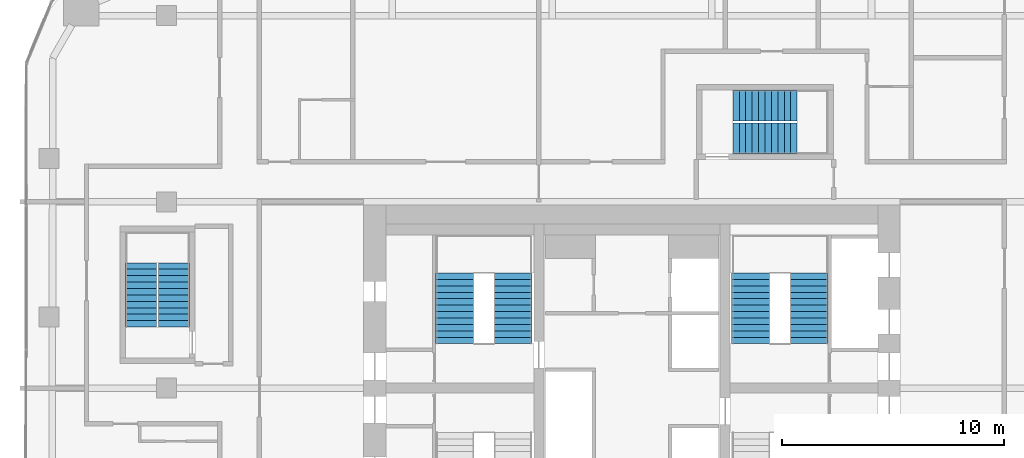
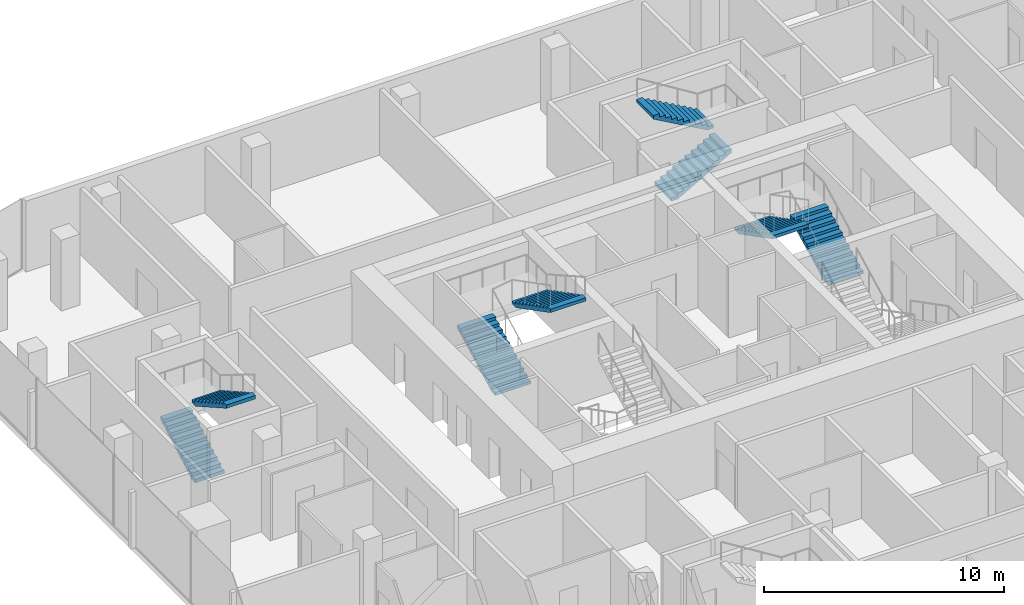
# One storey, part 21 of 23: 8 stair flights, 4 elements without a shape of their own.
"""IFC4 building model written with IfcOpenShell, lengths in metres."""

import ifcopenshell
import ifcopenshell.guid

model = None  # the IFC model being written
_history = None  # IfcOwnerHistory: only IFC2X3 demands one
_inside = {}  # id of a spatial element -> (the spatial element, [elements in it])
_under = {}  # id of a project, library or spatial element -> (it, [spatial elements below it])
_declared = {}  # id of a project -> (the project, [libraries it declares])
_typed = {}  # id of a type object -> (the type object, [elements of that type])
_made_of = {}  # id of a material, layer set ... -> (it, [elements and type objects made of it])


def new_model(schema):
    """Start an empty IFC model of exactly this schema.

    Asked for "IFC4X3", IfcOpenShell would pick the latest addendum, in which some entities
    have other attributes; the version numbers below select the first issue.
    IFC2X3 requires an IfcOwnerHistory on every rooted entity: one is made here for all.
    """
    global model, _history
    if schema == "IFC4X3":
        model = ifcopenshell.file(schema_version=(4, 3, 0, 0))
    else:
        model = ifcopenshell.file(schema=schema)
    _inside.clear()
    _under.clear()
    _declared.clear()
    _typed.clear()
    _made_of.clear()
    _history = None
    if model.schema == "IFC2X3":
        org = make("IfcOrganization", Name="unknown")
        user = make(
            "IfcPersonAndOrganization",
            ThePerson=make("IfcPerson", FamilyName="unknown"),
            TheOrganization=org,
        )
        app = make(
            "IfcApplication",
            ApplicationDeveloper=org,
            Version="unknown",
            ApplicationFullName="unknown",
            ApplicationIdentifier="unknown",
        )
        _history = make(
            "IfcOwnerHistory",
            OwningUser=user,
            OwningApplication=app,
            ChangeAction="ADDED",
            CreationDate=0,
        )
    return model


def make(cls, **values):
    """One entity of the class cls with the attributes given. An attribute that is None is left unset."""
    return model.create_entity(
        cls, **{name: value for name, value in values.items() if value is not None}
    )


def rooted(cls, **values):
    """An entity with a GlobalId (a new one), such as an element, a storey or a relation."""
    return make(cls, GlobalId=ifcopenshell.guid.new(), OwnerHistory=_history, **values)


def si_unit(unit_type, name, prefix=None):
    """IfcSIUnit, for example si_unit("LENGTHUNIT", "METRE", prefix="MILLI")."""
    return make("IfcSIUnit", UnitType=unit_type, Prefix=prefix, Name=name)


def assignment(units):
    """IfcUnitAssignment: the units of a project."""
    return None if units is None else make("IfcUnitAssignment", Units=units)


def point(xyz):
    """IfcCartesianPoint."""
    return None if xyz is None else make("IfcCartesianPoint", Coordinates=xyz)


def direction(xyz):
    """IfcDirection."""
    return None if xyz is None else make("IfcDirection", DirectionRatios=xyz)


def frame(location, z_axis=None, x_axis=None):
    """IfcAxis2Placement3D, a coordinate frame: its origin and axes. An axis left out is left unset."""
    return make(
        "IfcAxis2Placement3D",
        Location=point(location),
        Axis=direction(z_axis),
        RefDirection=direction(x_axis),
    )


def origin():
    """The frame at (0, 0, 0) with its axes left unset."""
    return frame((0.0, 0.0, 0.0))


def place(relative_to, where):
    """IfcLocalPlacement: puts the frame where relative to a parent placement (None: the world)."""
    return make(
        "IfcLocalPlacement", PlacementRelTo=relative_to, RelativePlacement=where
    )


def context(
    kind, dimensions, precision=None, world=None, true_north=None, identifier=None
):
    """IfcGeometricRepresentationContext, for example the 3D "Model" context."""
    return make(
        "IfcGeometricRepresentationContext",
        ContextIdentifier=identifier,
        ContextType=kind,
        CoordinateSpaceDimension=dimensions,
        Precision=precision,
        WorldCoordinateSystem=world,
        TrueNorth=true_north,
    )


def subcontext(parent, identifier, kind, view, scale=None):
    """IfcGeometricRepresentationSubContext, for example "Body" below "Model"."""
    return make(
        "IfcGeometricRepresentationSubContext",
        ContextIdentifier=identifier,
        ContextType=kind,
        ParentContext=parent,
        TargetScale=scale,
        TargetView=view,
    )


def project(units=None, contexts=None):
    """IfcProject with its units and contexts."""
    return rooted(
        "IfcProject",
        Name="project",
        RepresentationContexts=contexts,
        UnitsInContext=assignment(units),
    )


def spatial(cls, under=None, at=None, **own):
    """A site, building, storey or space (cls), placed at a placement, below another one or the project."""
    s = rooted(cls, ObjectPlacement=at, **own)
    if under is not None:
        _under.setdefault(under.id(), (under, []))[1].append(s)
    return s


def polyline(points):
    """IfcPolyline through the points."""
    return make("IfcPolyline", Points=[point(p) for p in points])


def outline(outer, holes=None, kind="AREA"):
    """IfcArbitraryClosedProfileDef: a profile drawn as a closed curve; with holes, ...WithVoids."""
    if holes is None:
        return make("IfcArbitraryClosedProfileDef", ProfileType=kind, OuterCurve=outer)
    return make(
        "IfcArbitraryProfileDefWithVoids",
        ProfileType=kind,
        OuterCurve=outer,
        InnerCurves=holes,
    )


def extrude(swept, where, along, depth):
    """IfcExtrudedAreaSolid: the profile swept, set in the frame where, extruded along a direction by depth."""
    return make(
        "IfcExtrudedAreaSolid",
        SweptArea=swept,
        Position=where,
        ExtrudedDirection=direction(along),
        Depth=depth,
    )


def shape(context_of_items, identifier, shape_type, items):
    """IfcShapeRepresentation: the items that make up one representation, for example the "Body"."""
    return make(
        "IfcShapeRepresentation",
        ContextOfItems=context_of_items,
        RepresentationIdentifier=identifier,
        RepresentationType=shape_type,
        Items=items,
    )


def material(Name=None, Category=None):
    """IfcMaterial."""
    return make("IfcMaterial", Name=Name, Category=Category)


def made_of(thing, what):
    """Note that an element or type object is made of a material, layer set ...; save() writes the relation."""
    if what is not None:
        _made_of.setdefault(what.id(), (what, []))[1].append(thing)
    return thing


def type_object(cls, material=None, **own):
    """A type object (cls), such as IfcWallType, which elements share."""
    return made_of(rooted(cls, **own), material)


def element(
    cls,
    number,
    at=None,
    inside=None,
    cuts=None,
    type_object=None,
    material=None,
    context=None,
    identifier="Body",
    shape_type=None,
    held_by="IfcProductDefinitionShape",
    body=None,
    shapes=None,
    **own,
):
    """One element of the class cls, such as IfcWall. Its Tag is "e" and its number.

    at: its placement. inside: the storey or other place that contains it. cuts: it is an
    opening in that element (IfcRelVoidsElement). A single representation is given by context,
    identifier, shape_type and body (its items); several are given by shapes. held_by: the class
    of the entity that holds the representations. save() writes the other relations.
    """
    e = rooted(cls, Tag="e%d" % number, ObjectPlacement=at, **own)
    if body is not None:
        shapes = [shape(context, identifier, shape_type, body)]
    if shapes is not None:
        e.Representation = make(held_by, Representations=shapes)
    if inside is not None:
        _inside.setdefault(inside.id(), (inside, []))[1].append(e)
    if cuts is not None:
        rooted(
            "IfcRelVoidsElement", RelatingBuildingElement=cuts, RelatedOpeningElement=e
        )
    if type_object is not None:
        _typed.setdefault(type_object.id(), (type_object, []))[1].append(e)
    return made_of(e, material)


def aggregate(whole, parts):
    """IfcRelAggregates: a whole, such as a stair, and the parts it consists of."""
    return rooted("IfcRelAggregates", RelatingObject=whole, RelatedObjects=parts)


def save(model, path):
    """Write the relations noted so far, then the file.

    IfcRelAggregates (storeys below a building ...), IfcRelContainedInSpatialStructure (elements
    in a storey), IfcRelDefinesByType, IfcRelAssociatesMaterial and IfcRelDeclares: one each for
    every whole, place, type object, material and project.
    """
    for whole, parts in _under.values():
        aggregate(whole, parts)
    for where, things in _inside.values():
        rooted(
            "IfcRelContainedInSpatialStructure",
            RelatedElements=things,
            RelatingStructure=where,
        )
    for kind, things in _typed.values():
        rooted("IfcRelDefinesByType", RelatedObjects=things, RelatingType=kind)
    for what, things in _made_of.values():
        rooted("IfcRelAssociatesMaterial", RelatedObjects=things, RelatingMaterial=what)
    for by, libraries in _declared.values():
        rooted("IfcRelDeclares", RelatingContext=by, RelatedDefinitions=libraries)
    model.write(path)


model = new_model("IFC4")

# Units and contexts
model_context = context("Model", 3, precision=1e-05, world=origin(), true_north=direction((0.0, 1.0)))
body_context = subcontext(model_context, "Body", "Model", "MODEL_VIEW")
ifc_project = project(units=[si_unit("LENGTHUNIT", "METRE"), si_unit("AREAUNIT", "SQUARE_METRE"), si_unit("VOLUMEUNIT", "CUBIC_METRE"), si_unit("PLANEANGLEUNIT", "RADIAN"), si_unit("MASSUNIT", "GRAM", prefix="KILO")], contexts=[model_context])

# Site, building, storey
site_placement = place(None, origin())
site = spatial("IfcSite", under=ifc_project, at=site_placement, CompositionType="ELEMENT")
building_placement = place(site_placement, origin())
building = spatial("IfcBuilding", under=site, at=building_placement, Name="Marenta Gate Hotel Tower", CompositionType="ELEMENT")
storey_placement = place(building_placement, frame((0.0, 0.0, 155.300048828125)))
storey = spatial("IfcBuildingStorey", under=building, at=storey_placement, Name="L36", CompositionType="ELEMENT", Elevation=155.300048828125)

# Stair, stair flights
ifc_material_1 = material(Name="Concrete C40", Category="concrete")
stair_type_1 = type_object("IfcStairType", Name="Core exit stair 1700 wide", PredefinedType="HALF_TURN_STAIR", material=ifc_material_1)
stair_1_placement = place(storey_placement, origin())
stair_1 = element("IfcStair", 1, at=stair_1_placement, inside=storey, type_object=stair_type_1, Name="Exit stair 2", PredefinedType="HALF_TURN_STAIR")
ifc_material_2 = material(Name="Concrete C40", Category="concrete")
stair_flight_type_1 = type_object("IfcStairFlightType", Name="Core stair flight 1700 riser 150.0 going 290", PredefinedType="STRAIGHT", material=ifc_material_2)
stair_flight_1_placement = place(storey_placement, frame((-8.0, 10.39990234375, 0.0), z_axis=(0.0, 0.0, 1.0), x_axis=(0.0, 1.0, 0.0)))
stair_flight_1 = element("IfcStairFlight", 2, at=stair_flight_1_placement, type_object=stair_flight_type_1, Name="ST2 flight 1", NumberOfRisers=12, NumberOfTreads=11, PredefinedType="STRAIGHT", RiserHeight=0.15, TreadLength=0.29, context=body_context, shape_type="SweptSolid", body=[
    extrude(outline(polyline([(0.0, 0.0), (0.0, 0.14990234375), (0.2900390625, 0.14990234375), (0.2900390625, 0.300048828125), (0.580078125, 0.300048828125), (0.580078125, 0.449951171875), (0.8701171875, 0.449951171875), (0.8701171875, 0.60009765625), (1.159912109375, 0.60009765625), (1.159912109375, 0.75), (1.449951171875, 0.75), (1.449951171875, 0.89990234375), (1.739990234375, 0.89990234375), (1.739990234375, 1.050048828125), (2.030029296875, 1.050048828125), (2.030029296875, 1.199951171875), (2.320068359375, 1.199951171875), (2.320068359375, 1.35009765625), (2.610107421875, 1.35009765625), (2.610107421875, 1.5), (2.89990234375, 1.5), (2.89990234375, 1.64990234375), (3.18994140625, 1.64990234375), (3.18994140625, 1.800048828125), (3.18994140625, 1.481201171875), (0.326171875, 0.0), (0.0, 0.0)])), frame((0.0, 0.85009765625, 0.0), z_axis=(0.0, -1.0, 0.0), x_axis=(1.0, 0.0, 0.0)), (0.0, 0.0, 1.0), 1.699951171875),
])
stair_flight_2_placement = place(storey_placement, frame((-5.35009765625, 13.590087890625, 1.800048828125), z_axis=(0.0, 0.0, 1.0), x_axis=(0.0, -1.0, 0.0)))
stair_flight_2 = element("IfcStairFlight", 3, at=stair_flight_2_placement, type_object=stair_flight_type_1, Name="ST2 flight 2", NumberOfRisers=12, NumberOfTreads=11, PredefinedType="STRAIGHT", RiserHeight=0.15, TreadLength=0.29, context=body_context, shape_type="SweptSolid", body=[
    extrude(outline(polyline([(0.0, 0.0), (0.0, 0.14990234375), (0.2900390625, 0.14990234375), (0.2900390625, 0.300048828125), (0.580078125, 0.300048828125), (0.580078125, 0.449951171875), (0.8701171875, 0.449951171875), (0.8701171875, 0.60009765625), (1.159912109375, 0.60009765625), (1.159912109375, 0.75), (1.449951171875, 0.75), (1.449951171875, 0.89990234375), (1.739990234375, 0.89990234375), (1.739990234375, 1.050048828125), (2.030029296875, 1.050048828125), (2.030029296875, 1.199951171875), (2.320068359375, 1.199951171875), (2.320068359375, 1.35009765625), (2.610107421875, 1.35009765625), (2.610107421875, 1.5), (2.89990234375, 1.5), (2.89990234375, 1.64990234375), (3.18994140625, 1.64990234375), (3.18994140625, 1.800048828125), (3.18994140625, 1.481201171875), (0.326171875, 0.0), (0.0, 0.0)])), frame((0.0, 0.85009765625, 0.0), z_axis=(0.0, -1.0, 0.0), x_axis=(1.0, 0.0, 0.0)), (0.0, 0.0, 1.0), 1.699951171875),
])
aggregate(stair_1, [stair_flight_1, stair_flight_2])

stair_2_placement = place(storey_placement, origin())
stair_2 = element("IfcStair", 4, at=stair_2_placement, inside=storey, type_object=stair_type_1, Name="Exit stair 4", PredefinedType="HALF_TURN_STAIR")
stair_flight_3_placement = place(storey_placement, frame((8.0, 10.39990234375, 0.0), z_axis=(0.0, 0.0, 1.0), x_axis=(0.0, 1.0, 0.0)))
stair_flight_3 = element("IfcStairFlight", 5, at=stair_flight_3_placement, type_object=stair_flight_type_1, Name="ST4 flight 1", NumberOfRisers=12, NumberOfTreads=11, PredefinedType="STRAIGHT", RiserHeight=0.15, TreadLength=0.29, context=body_context, shape_type="SweptSolid", body=[
    extrude(outline(polyline([(0.0, 0.0), (0.0, 0.14990234375), (0.2900390625, 0.14990234375), (0.2900390625, 0.300048828125), (0.580078125, 0.300048828125), (0.580078125, 0.449951171875), (0.8701171875, 0.449951171875), (0.8701171875, 0.60009765625), (1.159912109375, 0.60009765625), (1.159912109375, 0.75), (1.449951171875, 0.75), (1.449951171875, 0.89990234375), (1.739990234375, 0.89990234375), (1.739990234375, 1.050048828125), (2.030029296875, 1.050048828125), (2.030029296875, 1.199951171875), (2.320068359375, 1.199951171875), (2.320068359375, 1.35009765625), (2.610107421875, 1.35009765625), (2.610107421875, 1.5), (2.89990234375, 1.5), (2.89990234375, 1.64990234375), (3.18994140625, 1.64990234375), (3.18994140625, 1.800048828125), (3.18994140625, 1.481201171875), (0.326171875, 0.0), (0.0, 0.0)])), frame((0.0, 0.85009765625, 0.0), z_axis=(0.0, -1.0, 0.0), x_axis=(1.0, 0.0, 0.0)), (0.0, 0.0, 1.0), 1.699951171875),
])
stair_flight_4_placement = place(storey_placement, frame((5.35009765625, 13.590087890625, 1.800048828125), z_axis=(0.0, 0.0, 1.0), x_axis=(0.0, -1.0, 0.0)))
stair_flight_4 = element("IfcStairFlight", 6, at=stair_flight_4_placement, type_object=stair_flight_type_1, Name="ST4 flight 2", NumberOfRisers=12, NumberOfTreads=11, PredefinedType="STRAIGHT", RiserHeight=0.15, TreadLength=0.29, context=body_context, shape_type="SweptSolid", body=[
    extrude(outline(polyline([(0.0, 0.0), (0.0, 0.14990234375), (0.2900390625, 0.14990234375), (0.2900390625, 0.300048828125), (0.580078125, 0.300048828125), (0.580078125, 0.449951171875), (0.8701171875, 0.449951171875), (0.8701171875, 0.60009765625), (1.159912109375, 0.60009765625), (1.159912109375, 0.75), (1.449951171875, 0.75), (1.449951171875, 0.89990234375), (1.739990234375, 0.89990234375), (1.739990234375, 1.050048828125), (2.030029296875, 1.050048828125), (2.030029296875, 1.199951171875), (2.320068359375, 1.199951171875), (2.320068359375, 1.35009765625), (2.610107421875, 1.35009765625), (2.610107421875, 1.5), (2.89990234375, 1.5), (2.89990234375, 1.64990234375), (3.18994140625, 1.64990234375), (3.18994140625, 1.800048828125), (3.18994140625, 1.481201171875), (0.326171875, 0.0), (0.0, 0.0)])), frame((0.0, 0.85009765625, 0.0), z_axis=(0.0, -1.0, 0.0), x_axis=(1.0, 0.0, 0.0)), (0.0, 0.0, 1.0), 1.699951171875),
])
aggregate(stair_2, [stair_flight_3, stair_flight_4])

ifc_material_3 = material(Name="Concrete C40", Category="concrete")
stair_type_2 = type_object("IfcStairType", Name="Remote exit stair 1400 wide", PredefinedType="HALF_TURN_STAIR", material=ifc_material_3)
stair_3_placement = place(storey_placement, origin())
stair_3 = element("IfcStair", 7, at=stair_3_placement, inside=storey, type_object=stair_type_2, Name="Exit stair RS-Z1-3", PredefinedType="HALF_TURN_STAIR")
ifc_material_4 = material(Name="Concrete C40", Category="concrete")
stair_flight_type_2 = type_object("IfcStairFlightType", Name="Remote stair flight 1400 riser 163.6 going 290", PredefinedType="STRAIGHT", material=ifc_material_4)
stair_flight_5_placement = place(storey_placement, frame((-22.14990234375, 11.14990234375, 0.0), z_axis=(0.0, 0.0, 1.0), x_axis=(0.0, 1.0, 0.0)))
stair_flight_5 = element("IfcStairFlight", 8, at=stair_flight_5_placement, type_object=stair_flight_type_2, Name="RS-Z1-3 flight 1", NumberOfRisers=11, NumberOfTreads=10, PredefinedType="STRAIGHT", RiserHeight=0.163636, TreadLength=0.29, context=body_context, shape_type="SweptSolid", body=[
    extrude(outline(polyline([(0.0, 0.0), (0.0, 0.16357421875), (0.2900390625, 0.16357421875), (0.2900390625, 0.327392578125), (0.580078125, 0.327392578125), (0.580078125, 0.490966796875), (0.8701171875, 0.490966796875), (0.8701171875, 0.654541015625), (1.159912109375, 0.654541015625), (1.159912109375, 0.818115234375), (1.449951171875, 0.818115234375), (1.449951171875, 0.98193359375), (1.739990234375, 0.98193359375), (1.739990234375, 1.1455078125), (2.030029296875, 1.1455078125), (2.030029296875, 1.30908203125), (2.320068359375, 1.30908203125), (2.320068359375, 1.47265625), (2.610107421875, 1.47265625), (2.610107421875, 1.636474609375), (2.89990234375, 1.636474609375), (2.89990234375, 1.800048828125), (2.89990234375, 1.46435546875), (0.304931640625, 0.0), (0.0, 0.0)])), frame((0.0, 0.699951171875, 0.0), z_axis=(0.0, -1.0, 0.0), x_axis=(1.0, 0.0, 0.0)), (0.0, 0.0, 1.0), 1.39990234375),
])
stair_flight_6_placement = place(storey_placement, frame((-20.64990234375, 14.050048828125, 1.800048828125), z_axis=(0.0, 0.0, 1.0), x_axis=(0.0, -1.0, 0.0)))
stair_flight_6 = element("IfcStairFlight", 9, at=stair_flight_6_placement, type_object=stair_flight_type_2, Name="RS-Z1-3 flight 2", NumberOfRisers=11, NumberOfTreads=10, PredefinedType="STRAIGHT", RiserHeight=0.163636, TreadLength=0.29, context=body_context, shape_type="SweptSolid", body=[
    extrude(outline(polyline([(0.0, 0.0), (0.0, 0.16357421875), (0.2900390625, 0.16357421875), (0.2900390625, 0.327392578125), (0.580078125, 0.327392578125), (0.580078125, 0.490966796875), (0.8701171875, 0.490966796875), (0.8701171875, 0.654541015625), (1.159912109375, 0.654541015625), (1.159912109375, 0.818115234375), (1.449951171875, 0.818115234375), (1.449951171875, 0.98193359375), (1.739990234375, 0.98193359375), (1.739990234375, 1.1455078125), (2.030029296875, 1.1455078125), (2.030029296875, 1.30908203125), (2.320068359375, 1.30908203125), (2.320068359375, 1.47265625), (2.610107421875, 1.47265625), (2.610107421875, 1.636474609375), (2.89990234375, 1.636474609375), (2.89990234375, 1.800048828125), (2.89990234375, 1.46435546875), (0.304931640625, 0.0), (0.0, 0.0)])), frame((0.0, 0.699951171875, 0.0), z_axis=(0.0, -1.0, 0.0), x_axis=(1.0, 0.0, 0.0)), (0.0, 0.0, 1.0), 1.39990234375),
])
aggregate(stair_3, [stair_flight_5, stair_flight_6])

stair_4_placement = place(storey_placement, origin())
stair_4 = element("IfcStair", 10, at=stair_4_placement, inside=storey, type_object=stair_type_2, Name="Exit stair RS-Z2-4", PredefinedType="HALF_TURN_STAIR")
stair_flight_7_placement = place(storey_placement, frame((4.550048828125, 19.64990234375, 0.0), z_axis=(0.0, 0.0, 1.0), x_axis=(1.0, 0.0, 0.0)))
stair_flight_7 = element("IfcStairFlight", 11, at=stair_flight_7_placement, type_object=stair_flight_type_2, Name="RS-Z2-4 flight 1", NumberOfRisers=11, NumberOfTreads=10, PredefinedType="STRAIGHT", RiserHeight=0.163636, TreadLength=0.29, context=body_context, shape_type="SweptSolid", body=[
    extrude(outline(polyline([(0.0, 0.0), (0.0, 0.16357421875), (0.2900390625, 0.16357421875), (0.2900390625, 0.327392578125), (0.580078125, 0.327392578125), (0.580078125, 0.490966796875), (0.8701171875, 0.490966796875), (0.8701171875, 0.654541015625), (1.159912109375, 0.654541015625), (1.159912109375, 0.818115234375), (1.449951171875, 0.818115234375), (1.449951171875, 0.98193359375), (1.739990234375, 0.98193359375), (1.739990234375, 1.1455078125), (2.030029296875, 1.1455078125), (2.030029296875, 1.30908203125), (2.320068359375, 1.30908203125), (2.320068359375, 1.47265625), (2.610107421875, 1.47265625), (2.610107421875, 1.636474609375), (2.89990234375, 1.636474609375), (2.89990234375, 1.800048828125), (2.89990234375, 1.46435546875), (0.304931640625, 0.0), (0.0, 0.0)])), frame((0.0, 0.699951171875, 0.0), z_axis=(0.0, -1.0, 0.0), x_axis=(1.0, 0.0, 0.0)), (0.0, 0.0, 1.0), 1.39990234375),
])
stair_flight_8_placement = place(storey_placement, frame((7.449951171875, 21.14990234375, 1.800048828125), z_axis=(0.0, 0.0, 1.0), x_axis=(-1.0, 0.0, 0.0)))
stair_flight_8 = element("IfcStairFlight", 12, at=stair_flight_8_placement, type_object=stair_flight_type_2, Name="RS-Z2-4 flight 2", NumberOfRisers=11, NumberOfTreads=10, PredefinedType="STRAIGHT", RiserHeight=0.163636, TreadLength=0.29, context=body_context, shape_type="SweptSolid", body=[
    extrude(outline(polyline([(0.0, 0.0), (0.0, 0.16357421875), (0.2900390625, 0.16357421875), (0.2900390625, 0.327392578125), (0.580078125, 0.327392578125), (0.580078125, 0.490966796875), (0.8701171875, 0.490966796875), (0.8701171875, 0.654541015625), (1.159912109375, 0.654541015625), (1.159912109375, 0.818115234375), (1.449951171875, 0.818115234375), (1.449951171875, 0.98193359375), (1.739990234375, 0.98193359375), (1.739990234375, 1.1455078125), (2.030029296875, 1.1455078125), (2.030029296875, 1.30908203125), (2.320068359375, 1.30908203125), (2.320068359375, 1.47265625), (2.610107421875, 1.47265625), (2.610107421875, 1.636474609375), (2.89990234375, 1.636474609375), (2.89990234375, 1.800048828125), (2.89990234375, 1.46435546875), (0.304931640625, 0.0), (0.0, 0.0)])), frame((0.0, 0.699951171875, 0.0), z_axis=(0.0, -1.0, 0.0), x_axis=(1.0, 0.0, 0.0)), (0.0, 0.0, 1.0), 1.39990234375),
])
aggregate(stair_4, [stair_flight_7, stair_flight_8])

save(model, "model.ifc")
